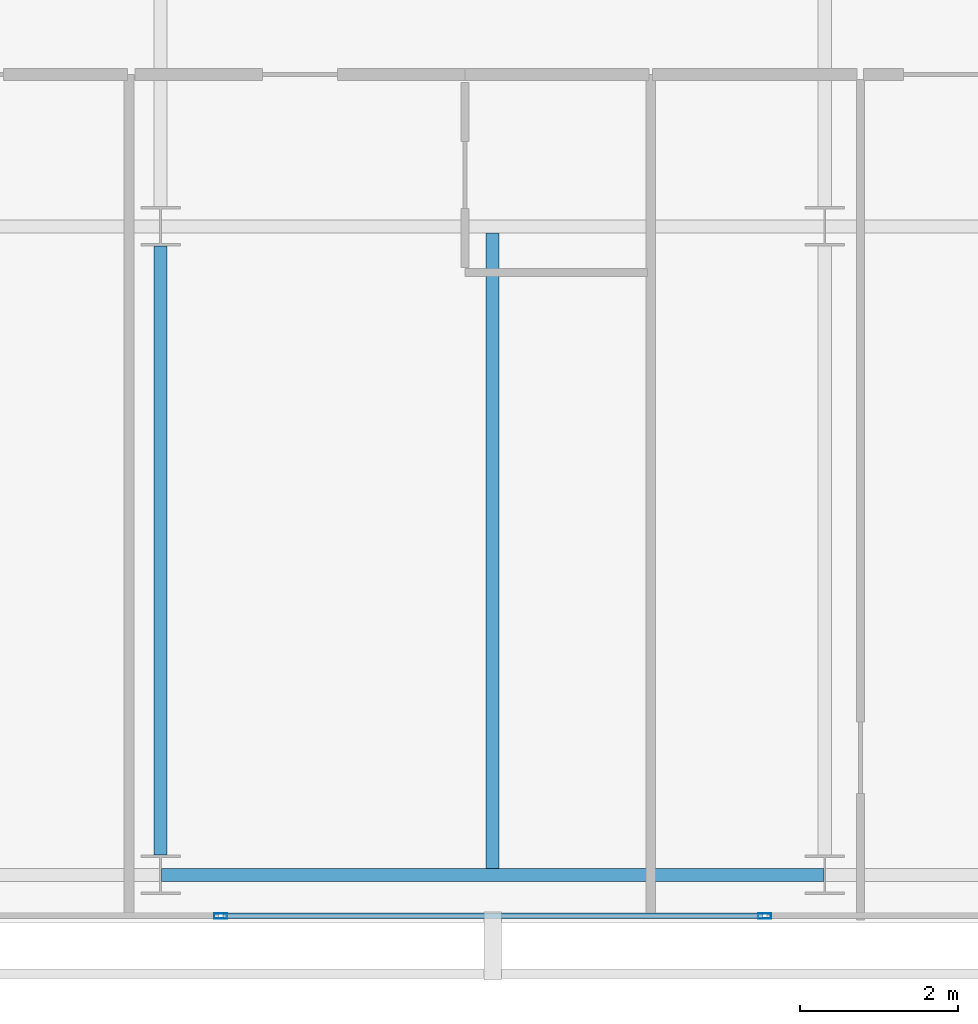
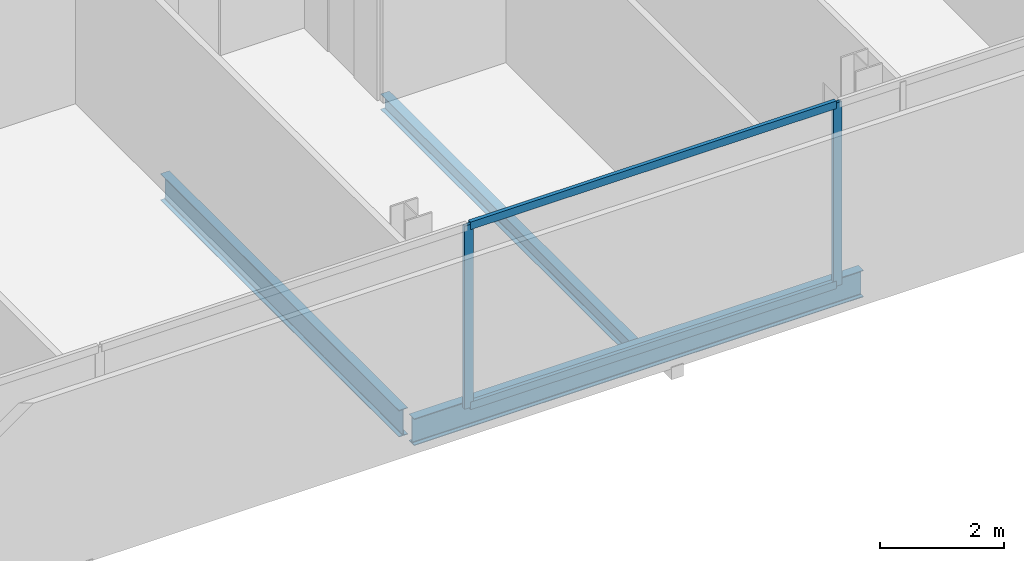
# One storey, part 6 of 26: 4 members, 3 beams, 1 element without a shape of its own.
"""IFC4 building model written with IfcOpenShell, lengths in metres."""

from ifc_helpers import new_model, si_unit, direction, frame, origin, origin_2d, place, context, subcontext, project, spatial, hollow_rectangle, i_section, extrude, material, layer, layer_set, material_profile, profile_set, type_object, element, aggregate, save


model = new_model("IFC4")

# Units and contexts
model_context = context("Model", 3, precision=1e-05, world=origin(), true_north=direction((0.0, 1.0)))
body_context = subcontext(model_context, "Body", "Model", "MODEL_VIEW")
ifc_project = project(units=[si_unit("LENGTHUNIT", "METRE"), si_unit("AREAUNIT", "SQUARE_METRE"), si_unit("VOLUMEUNIT", "CUBIC_METRE"), si_unit("PLANEANGLEUNIT", "RADIAN"), si_unit("MASSUNIT", "GRAM", prefix="KILO")], contexts=[model_context])

# Site, building, storey
site_placement = place(None, origin())
site = spatial("IfcSite", under=ifc_project, at=site_placement, CompositionType="ELEMENT")
building_placement = place(site_placement, origin())
building = spatial("IfcBuilding", under=site, at=building_placement, Name="Maruvema Waterfront Hotel and Observation Tower", CompositionType="ELEMENT")
storey_placement = place(building_placement, frame((0.0, 0.0, 285.60009765625)))
storey = spatial("IfcBuildingStorey", under=building, at=storey_placement, Name="L70", CompositionType="ELEMENT", Elevation=285.60009765625)

# Curtain wall, members
ifc_material_1 = material(Name="Anodised bronze aluminium and solar-control low-E IGU", Category="aluminium")
ifc_layer = layer(ifc_material_1, 0.159912109375, Name="Zone 3 Champagne Inner Thermal Curtain Wall System CW-04")
ifc_layer_set = layer_set([ifc_layer], Name="Anodised bronze aluminium and solar-control low-E IGU")
curtain_wall_type = type_object("IfcCurtainWallType", Name="Zone 3 Champagne Inner Thermal Curtain Wall System CW-04", PredefinedType="USERDEFINED", material=ifc_layer_set)
curtain_wall_placement = place(storey_placement, origin())
curtain_wall = element("IfcCurtainWall", 1, at=curtain_wall_placement, inside=storey, type_object=curtain_wall_type, Name="L70 Curtain Wall CW-L70-S", ObjectType="UNITISED CURTAIN WALL", PredefinedType="USERDEFINED")
ifc_material_2 = material(Name="Anodised architectural bronze aluminium", Category="aluminium")
ifc_material_profile_1 = material_profile(ifc_material_2, hollow_rectangle(XDim=0.070068359375, YDim=0.14990234375, WallThickness=0.00390625, at=origin_2d()), Name="ALU-T70x150")
ifc_profile_set_1 = profile_set([ifc_material_profile_1], Name="Anodised architectural bronze aluminium")
member_type_1 = type_object("IfcMemberType", Name="Curtain Wall Horizontal Transom ALU-T70x150", PredefinedType="USERDEFINED", material=ifc_profile_set_1)
member_1_placement = place(storey_placement, frame((34.389892578125, 9.280029296875, 0.02978515625), z_axis=(1.0, 0.0, 0.0), x_axis=(0.0, 1.0, 0.0)))
member_1 = element("IfcMember", 2, at=member_1_placement, type_object=member_type_1, Name="CW-04 transom 3.1", ObjectType="TRANSOM", PredefinedType="USERDEFINED", context=body_context, shape_type="SweptSolid", body=[
    extrude(hollow_rectangle(XDim=0.070068359375, YDim=0.14990234375, WallThickness=0.00390625, at=origin_2d()), origin(), (0.0, 0.0, 1.0), 6.820068359375),
])
member_2_placement = place(storey_placement, frame((34.389892578125, 9.280029296875, 3.579833984375), z_axis=(1.0, 0.0, 0.0), x_axis=(0.0, 1.0, 0.0)))
member_2 = element("IfcMember", 3, at=member_2_placement, type_object=member_type_1, Name="CW-04 transom 3.2", ObjectType="TRANSOM", PredefinedType="USERDEFINED", context=body_context, shape_type="SweptSolid", body=[
    extrude(hollow_rectangle(XDim=0.070068359375, YDim=0.14990234375, WallThickness=0.00390625, at=origin_2d()), origin(), (0.0, 0.0, 1.0), 6.820068359375),
])
ifc_material_3 = material(Name="Anodised architectural bronze aluminium", Category="aluminium")
ifc_material_profile_2 = material_profile(ifc_material_3, hollow_rectangle(XDim=0.06494140625, YDim=0.1650390625, WallThickness=0.00390625, at=origin_2d()), Name="ALU-M65x165")
ifc_profile_set_2 = profile_set([ifc_material_profile_2], Name="Anodised architectural bronze aluminium")
member_type_2 = type_object("IfcMemberType", Name="Curtain Wall Primary Mullion ALU-M65x165", PredefinedType="MULLION", material=ifc_profile_set_2)
member_3_placement = place(storey_placement, frame((34.360107421875, 9.280029296875, 0.0), z_axis=(0.0, 0.0, 1.0), x_axis=(0.0, 1.0, 0.0)))
member_3 = element("IfcMember", 4, at=member_3_placement, type_object=member_type_2, Name="CW-04 mullion 3", PredefinedType="MULLION", context=body_context, shape_type="SweptSolid", body=[
    extrude(hollow_rectangle(XDim=0.06494140625, YDim=0.1650390625, WallThickness=0.00390625, at=origin_2d()), origin(), (0.0, 0.0, 1.0), 3.60986328125),
])
member_4_placement = place(storey_placement, frame((41.239990234375, 9.280029296875, 0.0), z_axis=(0.0, 0.0, 1.0), x_axis=(0.0, 1.0, 0.0)))
member_4 = element("IfcMember", 5, at=member_4_placement, type_object=member_type_2, Name="CW-04 mullion 4", PredefinedType="MULLION", context=body_context, shape_type="SweptSolid", body=[
    extrude(hollow_rectangle(XDim=0.06494140625, YDim=0.1650390625, WallThickness=0.00390625, at=origin_2d()), origin(), (0.0, 0.0, 1.0), 3.60986328125),
])
aggregate(curtain_wall, [member_3, member_4, member_1, member_2])

# Beams
ifc_material_4 = material(Name="Steel ASTM A572 Grade 50", Category="steel")
ifc_material_profile_3 = material_profile(ifc_material_4, i_section(OverallWidth=0.166015625, OverallDepth=0.529052734375, WebThickness=0.009765625, FlangeThickness=0.013671875, FilletRadius=0.014892578125, at=origin_2d()), Name="W530x74.0")
ifc_profile_set_3 = profile_set([ifc_material_profile_3], Name="Steel ASTM A572 Grade 50")
beam_type_1 = type_object("IfcBeamType", Name="Primary Floor Girder W530x74.0", PredefinedType="BEAM", material=ifc_profile_set_3)
beam_1_placement = place(storey_placement, frame((33.611083984375, 9.800048828125, -0.504638671875), z_axis=(1.0, 0.0, 0.0), x_axis=(0.0, 1.0, 0.0)))
element("IfcBeam", 6, at=beam_1_placement, inside=storey, type_object=beam_type_1, Name="L70 Floor Girder EW-02", PredefinedType="BEAM", context=body_context, shape_type="SweptSolid", body=[
    extrude(i_section(OverallWidth=0.166015625, OverallDepth=0.529052734375, WebThickness=0.009765625, FlangeThickness=0.013671875, FilletRadius=0.014892578125, at=origin_2d()), origin(), (0.0, 0.0, 1.0), 8.3779296875),
])
beam_2_placement = place(storey_placement, frame((33.60009765625, 10.050048828125, -0.504638671875), z_axis=(0.0, 1.0, 0.0), x_axis=(-1.0, 0.0, 0.0)))
element("IfcBeam", 7, at=beam_2_placement, inside=storey, type_object=beam_type_1, Name="L70 Floor Girder NS-08", PredefinedType="BEAM", context=body_context, shape_type="SweptSolid", body=[
    extrude(i_section(OverallWidth=0.166015625, OverallDepth=0.529052734375, WebThickness=0.009765625, FlangeThickness=0.013671875, FilletRadius=0.014892578125, at=origin_2d()), origin(), (0.0, 0.0, 1.0), 7.699951171875),
])
ifc_material_5 = material(Name="Steel ASTM A572 Grade 50", Category="steel")
ifc_material_profile_4 = material_profile(ifc_material_5, i_section(OverallWidth=0.1650390625, OverallDepth=0.31005859375, WebThickness=0.005859375, FlangeThickness=0.009765625, FilletRadius=0.012939453125, at=origin_2d()), Name="W310x38.7")
ifc_profile_set_4 = profile_set([ifc_material_profile_4], Name="Steel ASTM A572 Grade 50")
beam_type_2 = type_object("IfcBeamType", Name="Secondary Floor Joist W310x38.7", PredefinedType="JOIST", material=ifc_profile_set_4)
beam_3_placement = place(storey_placement, frame((37.800048828125, 9.883056640625, -0.39501953125), z_axis=(0.0, 1.0, 0.0), x_axis=(-1.0, 0.0, 0.0)))
element("IfcBeam", 8, at=beam_3_placement, inside=storey, type_object=beam_type_2, Name="L70 Secondary Floor Joist JS-05", PredefinedType="JOIST", context=body_context, shape_type="SweptSolid", body=[
    extrude(i_section(OverallWidth=0.1650390625, OverallDepth=0.31005859375, WebThickness=0.005859375, FlangeThickness=0.009765625, FilletRadius=0.012939453125, at=origin_2d()), origin(), (0.0, 0.0, 1.0), 8.033935546875),
])

save(model, "model.ifc")
